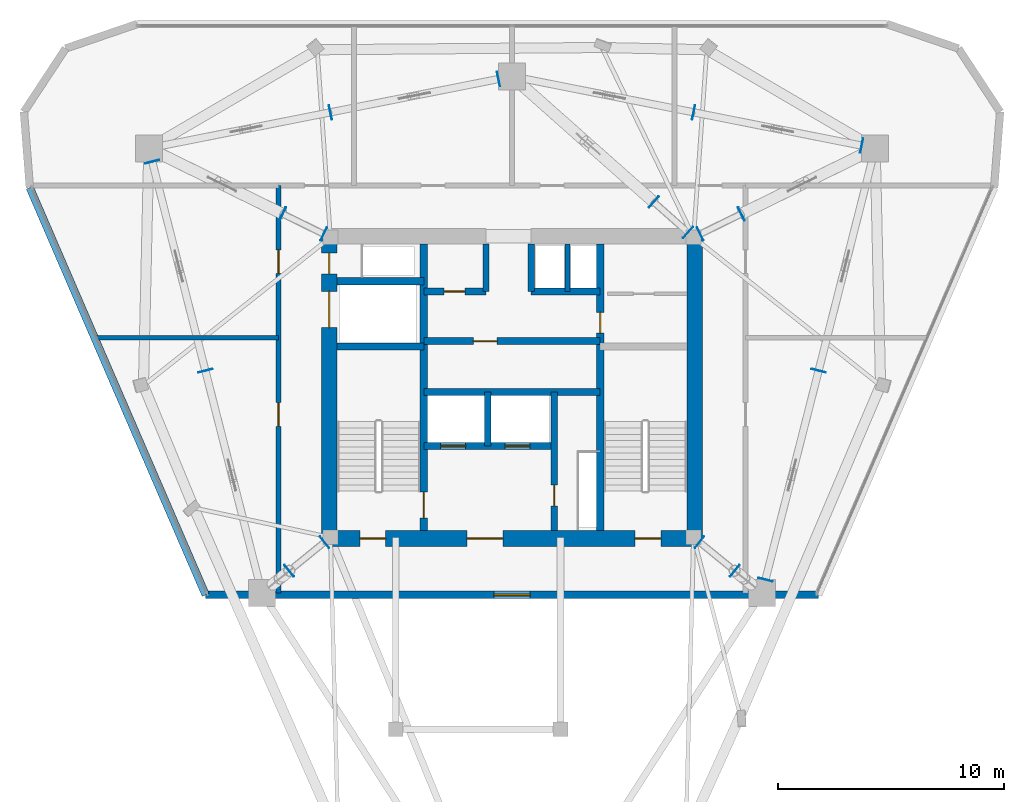
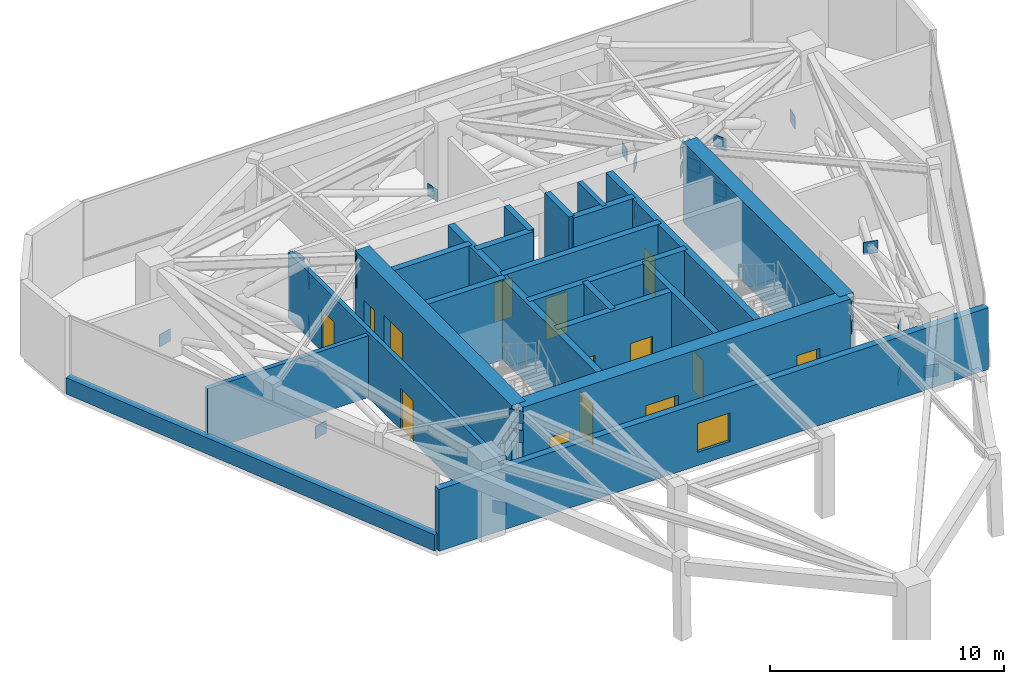
# One storey, part 7 of 9: 28 plates, 21 walls, 14 doors, 1 window, 15 openings.
"""IFC4 building model written with IfcOpenShell, lengths in metres."""

from ifc_helpers import new_model, si_unit, direction, frame, frame_2d, origin, origin_2d, place, context, subcontext, project, spatial, rectangle, extrude, material, layer, layer_set, type_object, element, fill, save


model = new_model("IFC4")

# Units and contexts
model_context = context("Model", 3, precision=1e-05, world=origin(), true_north=direction((0.0, 1.0)))
body_context = subcontext(model_context, "Body", "Model", "MODEL_VIEW")
ifc_project = project(units=[si_unit("LENGTHUNIT", "METRE"), si_unit("AREAUNIT", "SQUARE_METRE"), si_unit("VOLUMEUNIT", "CUBIC_METRE"), si_unit("PLANEANGLEUNIT", "RADIAN"), si_unit("MASSUNIT", "GRAM", prefix="KILO")], contexts=[model_context])

# Site, building, storey
site_placement = place(None, origin())
site = spatial("IfcSite", under=ifc_project, at=site_placement, CompositionType="ELEMENT")
building_placement = place(site_placement, origin())
building = spatial("IfcBuilding", under=site, at=building_placement, Name="Talyreon Biosciences Tower", CompositionType="ELEMENT")
storey_placement = place(building_placement, frame((0.0, 0.0, 279.60009765625)))
storey = spatial("IfcBuildingStorey", under=building, at=storey_placement, Name="L74", CompositionType="ELEMENT", Elevation=279.60009765625)

# Plates
ifc_material_1 = material(Name="Steel SM355", Category="steel")
ifc_layer_1 = layer(ifc_material_1, 0.028076171875)
ifc_layer_set_1 = layer_set([ifc_layer_1], Name="Steel SM355")
plate_type = type_object("IfcPlateType", Name="HollowEndCapPlate_28", PredefinedType="SHEET", material=ifc_layer_set_1)
for number, where, z_axis, x_axis, name in (
    (1, (74.309814453125, 61.138671875, 3.375), (0.0, 0.0, 1.0), (0.631000821652, 0.775782162127, 0.0), "Truss node plate NP-L74-OC-2"),
    (2, (74.309814453125, 61.138671875, 2.375), (0.0, 0.0, 1.0), (0.631000821652, 0.775782162127, 0.0), "Truss node plate NP-L74-OCM0-2"),
    (3, (75.884033203125, 59.8583984375, 2.375), (0.0, 0.0, 1.0), (0.631000821652, 0.775782162127, 0.0), "Truss node plate NP-L74-OCM1-2"),
    (4, (75.873046875, 59.8671875, -0.0849609375), (0.0, 0.0, 1.0), (0.630987281602, 0.775793175051, 0.0), "Truss node plate NP-OUT-L74-R2-E"),
    (5, (74.350830078125, 74.797607421875, 3.375), (0.0, 0.0, 1.0), (-0.440283955252, 0.89785858505, 0.0), "Truss node plate NP-L74-OC-3"),
    (6, (74.350830078125, 74.797607421875, 2.375), (0.0, 0.0, 1.0), (-0.440283955252, 0.89785858505, 0.0), "Truss node plate NP-L74-OCM0-3"),
    (7, (76.172607421875, 75.69091796875, 2.375), (0.0, 0.0, 1.0), (-0.440283955252, 0.89785858505, 0.0), "Truss node plate NP-L74-OCM1-3"),
    (8, (76.159912109375, 75.684814453125, -0.0849609375), (0.0, 0.0, 1.0), (-0.440283955252, 0.89785858505, 0.0), "Truss node plate NP-OUT-L74-R3-E"),
    (9, (73.79931640625, 74.872314453125, 3.375), (0.0, 0.0, 1.0), (-0.663495401773, -0.748180360492, 0.0), "Truss node plate NP-L74-OC-4"),
    (10, (73.79931640625, 74.872314453125, 2.375), (0.0, 0.0, 1.0), (-0.663495401773, -0.748180360492, 0.0), "Truss node plate NP-L74-OCM0-4"),
    (11, (72.28125, 76.218505859375, 2.375), (0.0, 0.0, 1.0), (-0.663495401773, -0.748180360492, 0.0), "Truss node plate NP-L74-OCM1-4"),
    (12, (72.291748046875, 76.209228515625, -0.0849609375), (0.0, 0.0, 1.0), (-0.663508459883, -0.748168780198, 0.0), "Truss node plate NP-OUT-L74-R4-E"),
    (13, (57.649169921875, 74.797607421875, 3.375), (0.0, 0.0, 1.0), (-0.440283955252, -0.89785858505, 0.0), "Truss node plate NP-L74-OC-5"),
    (14, (57.649169921875, 74.797607421875, 2.375), (0.0, 0.0, 1.0), (-0.440283955252, -0.89785858505, 0.0), "Truss node plate NP-L74-OCM0-5"),
    (15, (55.827392578125, 75.69091796875, 2.375), (0.0, 0.0, 1.0), (-0.440283955252, -0.89785858505, 0.0), "Truss node plate NP-L74-OCM1-5"),
    (16, (55.840087890625, 75.684814453125, -0.0849609375), (0.0, 0.0, 1.0), (-0.440283955252, -0.89785858505, 0.0), "Truss node plate NP-OUT-L74-R5-E"),
    (17, (57.690185546875, 61.138671875, 3.375), (0.0, 0.0, 1.0), (0.631000821652, -0.775782162127, 0.0), "Truss node plate NP-L74-OC-6"),
    (18, (57.690185546875, 61.138671875, 2.375), (0.0, 0.0, 1.0), (0.631000821652, -0.775782162127, 0.0), "Truss node plate NP-L74-OCM0-6"),
    (19, (56.115966796875, 59.8583984375, 2.375), (0.0, 0.0, 1.0), (0.631000821652, -0.775782162127, 0.0), "Truss node plate NP-L74-OCM1-6"),
    (20, (56.126953125, 59.8671875, -0.0849609375), (0.0, 0.0, 1.0), (0.630987281602, -0.775793175051, 0.0), "Truss node plate NP-OUT-L74-R6-E"),
    (21, (77.236572265625, 59.4716796875, -0.0849609375), (0.0, 0.0, 1.0), (-0.969132019352, 0.246542347409, 0.0), "Truss node plate NP-BELT-L74-B2S1-E"),
    (22, (79.59423828125, 68.739501953125, -0.0849609375), (0.0, 0.0, 1.0), (-0.969132019352, 0.246542347409, 0.0), "Truss node plate NP-BELT-L74-B2S2-E"),
    (23, (81.50390625, 78.71728515625, -0.0849609375), (0.0, 0.0, 1.0), (-0.194354196051, -0.980931417826, 0.0), "Truss node plate NP-BELT-L74-B3S1-E"),
    (24, (74.05126953125, 80.19384765625, -0.0849609375), (0.0, 0.0, 1.0), (-0.194354196051, -0.980931417826, 0.0), "Truss node plate NP-BELT-L74-B3S2-E"),
    (25, (65.401611328125, 81.67041015625, -0.0849609375), (0.0, 0.0, 1.0), (0.194354196051, -0.980931417826, 0.0), "Truss node plate NP-BELT-L74-B4S1-E"),
    (26, (57.94873046875, 80.19384765625, -0.0849609375), (0.0, 0.0, 1.0), (0.194354196051, -0.980931417826, 0.0), "Truss node plate NP-BELT-L74-B4S2-E"),
    (27, (50.048095703125, 78.007568359375, -0.0849609375), (0.0, 0.0, 1.0), (0.969132019352, 0.246542347409, 0.0), "Truss node plate NP-BELT-L74-B5S1-E"),
    (28, (52.40576171875, 68.739501953125, -0.0849609375), (0.0, 0.0, 1.0), (0.969132019352, 0.246542347409, 0.0), "Truss node plate NP-BELT-L74-B5S2-E"),
):
    element("IfcPlate", number, at=place(storey_placement, frame(where, z_axis=z_axis, x_axis=x_axis)), inside=storey, type_object=plate_type, Name=name, PredefinedType="SHEET", context=body_context, shape_type="SweptSolid", body=[
        extrude(rectangle(XDim=0.64990234375, YDim=0.028076171875, at=origin_2d()), origin(), (0.0, 0.0, 1.0), 0.64990234375),
    ])

# Walls
ifc_material_2 = material(Name="Concrete C50/60", Category="concrete")
ifc_layer_2 = layer(ifc_material_2, 0.219970703125)
ifc_layer_set_2 = layer_set([ifc_layer_2], Name="Concrete C50/60")
wall_type_1 = type_object("IfcWallType", Name="CoreShearWall_220", PredefinedType="SHEAR", material=ifc_layer_set_2)
wall_1_placement = place(storey_placement, frame((68.4599609375, 72.25, 0.0), z_axis=(0.0, 0.0, 1.0), x_axis=(0.0, 1.0, 0.0)))
element("IfcWall", 29, at=wall_1_placement, inside=storey, type_object=wall_type_1, Name="L74 Core Shaft Wall SWPHD", PredefinedType="SHEAR", context=body_context, shape_type="SweptSolid", body=[
    extrude(rectangle(XDim=2.10009765625, YDim=0.219970703125, at=frame_2d((1.050048828125, 0.0))), origin(), (0.0, 0.0, 1.0), 4.199951171875),
])
ifc_layer_3 = layer(ifc_material_2, 0.280029296875)
ifc_layer_set_3 = layer_set([ifc_layer_3], Name="Concrete C50/60")
wall_type_2 = type_object("IfcWallType", Name="CoreShearWall_280", PredefinedType="SHEAR", material=ifc_layer_set_3)
wall_2_placement = place(storey_placement, frame((64.919921875, 65.39990234375, 0.0), z_axis=(0.0, 0.0, 1.0), x_axis=(0.0, 1.0, 0.0)))
element("IfcWall", 30, at=wall_2_placement, inside=storey, type_object=wall_type_2, Name="L74 Core Shaft Wall SWSHD1", PredefinedType="SHEAR", context=body_context, shape_type="SweptSolid", body=[
    extrude(rectangle(XDim=2.400146484375, YDim=0.280029296875, at=frame_2d((1.2001953125, 0.0))), origin(), (0.0, 0.0, 1.0), 4.199951171875),
])
for number, where, z_axis, x_axis, name in (
    (31, (64.85009765625, 72.25, 0.0), (0.0, 0.0, 1.0), (0.0, 1.0, 0.0), "L74 Core Shaft Wall SWTHW"),
    (32, (66.85009765625, 72.25, 0.0), (0.0, 0.0, 1.0), (0.0, 1.0, 0.0), "L74 Core Shaft Wall SWTHE"),
):
    element("IfcWall", number, at=place(storey_placement, frame(where, z_axis=z_axis, x_axis=x_axis)), inside=storey, type_object=wall_type_2, Name=name, PredefinedType="SHEAR", context=body_context, shape_type="SweptSolid", body=[
        extrude(rectangle(XDim=2.10009765625, YDim=0.280029296875, at=frame_2d((1.050048828125, 0.0))), origin(), (0.0, 0.0, 1.0), 4.199951171875),
    ])

# Wall, opening, door
wall_3_placement = place(storey_placement, frame((67.8798828125, 61.64990234375, 0.0), z_axis=(0.0, 0.0, 1.0), x_axis=(0.0, 1.0, 0.0)))
wall_3 = element("IfcWall", 33, at=wall_3_placement, inside=storey, type_object=wall_type_2, Name="L74 Core Shaft Wall SWFFE", PredefinedType="SHEAR", context=body_context, shape_type="SweptSolid", body=[
    extrude(rectangle(XDim=6.150146484375, YDim=0.280029296875, at=frame_2d((3.0751953125, 0.0))), origin(), (0.0, 0.0, 1.0), 4.199951171875),
])
opening_1_placement = place(wall_3_placement, frame((1.10009765625, 0.0, 0.0)))
opening_1 = element("IfcOpeningElement", 34, at=opening_1_placement, cuts=wall_3, Name="Opening DR-L74-RSE", PredefinedType="OPENING", context=body_context, shape_type="SweptSolid", body=[
    extrude(rectangle(XDim=0.919921875, YDim=2.050048828125, at=frame_2d((0.4599609375, 1.02490234375))), frame((0.0, 0.14990234375, 0.0), z_axis=(0.0, -1.0, 0.0), x_axis=(1.0, 0.0, 0.0)), (0.0, 0.0, 1.0), 0.300048828125),
])
ifc_material_3 = material(Name="Painted steel fire-rated riser door", Category="steel")
door_type_1 = type_object("IfcDoorType", Name="RiserPlantAccessDoor_920x2050", OperationType="NOTDEFINED", PredefinedType="DOOR", material=ifc_material_3)
door_1_placement = place(opening_1_placement, origin())
door_1 = element("IfcDoor", 35, at=door_1_placement, inside=storey, type_object=door_type_1, Name="L74 Core Door DR-L74-RSE", OperationType="SINGLE_SWING_RIGHT", OverallHeight=2.050048828125, OverallWidth=0.919921875, PredefinedType="DOOR", context=body_context, shape_type="SweptSolid", body=[
    extrude(rectangle(XDim=0.919921875, YDim=2.050048828125, at=frame_2d((0.4599609375, 1.02490234375))), frame((0.0, 0.02490234375, 0.0), z_axis=(0.0, -1.0, 0.0), x_axis=(1.0, 0.0, 0.0)), (0.0, 0.0, 1.0), 0.050048828125),
])
fill(opening_1, door_1)

ifc_layer_4 = layer(ifc_material_2, 0.320068359375)
ifc_layer_set_4 = layer_set([ifc_layer_4], Name="Concrete C50/60")
wall_type_3 = type_object("IfcWallType", Name="CoreShearWall_320", PredefinedType="SHEAR", material=ifc_layer_set_4)
wall_4_placement = place(storey_placement, frame((62.090087890625, 61.64990234375, 0.0), z_axis=(0.0, 0.0, 1.0), x_axis=(0.0, 1.0, 0.0)))
wall_4 = element("IfcWall", 36, at=wall_4_placement, inside=storey, type_object=wall_type_3, Name="L74 Core Shaft Wall SW1E", PredefinedType="SHEAR", context=body_context, shape_type="SweptSolid", body=[
    extrude(rectangle(XDim=12.7001953125, YDim=0.320068359375, at=frame_2d((6.35009765625, 0.0))), origin(), (0.0, 0.0, 1.0), 4.199951171875),
])
opening_2_placement = place(wall_4_placement, frame((0.550048828125, 0.0, 0.0)))
opening_2 = element("IfcOpeningElement", 37, at=opening_2_placement, cuts=wall_4, Name="Opening DR-L74-FF-ST1", PredefinedType="OPENING", context=body_context, shape_type="SweptSolid", body=[
    extrude(rectangle(XDim=1.14990234375, YDim=2.14990234375, at=frame_2d((0.574951171875, 1.074951171875))), frame((0.0, 0.169921875, 0.0), z_axis=(0.0, -1.0, 0.0), x_axis=(1.0, 0.0, 0.0)), (0.0, 0.0, 1.0), 0.340087890625),
])
ifc_material_4 = material(Name="Painted steel fire door", Category="steel")
door_type_2 = type_object("IfcDoorType", Name="StairShaftFireDoor_1150x2150", OperationType="NOTDEFINED", PredefinedType="DOOR", material=ifc_material_4)
door_2_placement = place(opening_2_placement, origin())
door_2 = element("IfcDoor", 38, at=door_2_placement, inside=storey, type_object=door_type_2, Name="L74 Core Door DR-L74-FF-ST1", OperationType="SINGLE_SWING_LEFT", OverallHeight=2.14990234375, OverallWidth=1.14990234375, PredefinedType="DOOR", context=body_context, shape_type="SweptSolid", body=[
    extrude(rectangle(XDim=1.14990234375, YDim=2.14990234375, at=frame_2d((0.574951171875, 1.074951171875))), frame((0.0, 0.02490234375, 0.0), z_axis=(0.0, -1.0, 0.0), x_axis=(1.0, 0.0, 0.0)), (0.0, 0.0, 1.0), 0.050048828125),
])
fill(opening_2, door_2)

wall_5_placement = place(storey_placement, frame((69.909912109375, 61.64990234375, 0.0), z_axis=(0.0, 0.0, 1.0), x_axis=(0.0, 1.0, 0.0)))
wall_5 = element("IfcWall", 39, at=wall_5_placement, inside=storey, type_object=wall_type_3, Name="L74 Core Shaft Wall SW2W", PredefinedType="SHEAR", context=body_context, shape_type="SweptSolid", body=[
    extrude(rectangle(XDim=12.7001953125, YDim=0.320068359375, at=frame_2d((6.35009765625, 0.0))), origin(), (0.0, 0.0, 1.0), 4.199951171875),
])
opening_3_placement = place(wall_5_placement, frame((8.75, 0.0, 0.0)))
opening_3 = element("IfcOpeningElement", 40, at=opening_3_placement, cuts=wall_5, Name="Opening DR-L74-CSRV", PredefinedType="OPENING", context=body_context, shape_type="SweptSolid", body=[
    extrude(rectangle(XDim=0.919921875, YDim=2.050048828125, at=frame_2d((0.4599609375, 1.02490234375))), frame((0.0, 0.169921875, 0.0), z_axis=(0.0, -1.0, 0.0), x_axis=(1.0, 0.0, 0.0)), (0.0, 0.0, 1.0), 0.340087890625),
])
door_3_placement = place(opening_3_placement, origin())
door_3 = element("IfcDoor", 41, at=door_3_placement, inside=storey, type_object=door_type_1, Name="L74 Core Door DR-L74-CSRV", OperationType="SINGLE_SWING_RIGHT", OverallHeight=2.050048828125, OverallWidth=0.919921875, PredefinedType="DOOR", context=body_context, shape_type="SweptSolid", body=[
    extrude(rectangle(XDim=0.919921875, YDim=2.050048828125, at=frame_2d((0.4599609375, 1.02490234375))), frame((0.0, 0.02490234375, 0.0), z_axis=(0.0, -1.0, 0.0), x_axis=(1.0, 0.0, 0.0)), (0.0, 0.0, 1.0), 0.050048828125),
])
fill(opening_3, door_3)

# Walls
for number, where, z_axis, x_axis, name in (
    (42, (58.25, 69.81005859375, 0.0), (0.0, 0.0, 1.0), (1.0, 0.0, 0.0), "L74 Core Shaft Wall SW1N"),
    (43, (58.25, 72.699951171875, 0.0), (0.0, 0.0, 1.0), (1.0, 0.0, 0.0), "L74 Core Shaft Wall SWGLN"),
):
    element("IfcWall", number, at=place(storey_placement, frame(where, z_axis=z_axis, x_axis=x_axis)), inside=storey, type_object=wall_type_3, Name=name, PredefinedType="SHEAR", context=body_context, shape_type="SweptSolid", body=[
        extrude(rectangle(XDim=3.840087890625, YDim=0.320068359375, at=frame_2d((1.919921875, 0.0))), origin(), (0.0, 0.0, 1.0), 4.199951171875),
    ])
wall_6_placement = place(storey_placement, frame((62.090087890625, 67.800048828125, 0.0), z_axis=(0.0, 0.0, 1.0), x_axis=(1.0, 0.0, 0.0)))
element("IfcWall", 44, at=wall_6_placement, inside=storey, type_object=wall_type_3, Name="L74 Core Shaft Wall SWSHM", PredefinedType="SHEAR", context=body_context, shape_type="SweptSolid", body=[
    extrude(rectangle(XDim=7.81982421875, YDim=0.320068359375, at=frame_2d((3.909912109375, 0.0))), origin(), (0.0, 0.0, 1.0), 4.199951171875),
])

# Wall, opening, door
wall_7_placement = place(storey_placement, frame((62.090087890625, 70.050048828125, 0.0), z_axis=(0.0, 0.0, 1.0), x_axis=(1.0, 0.0, 0.0)))
wall_7 = element("IfcWall", 45, at=wall_7_placement, inside=storey, type_object=wall_type_3, Name="L74 Core Shaft Wall SWSPN", PredefinedType="SHEAR", context=body_context, shape_type="SweptSolid", body=[
    extrude(rectangle(XDim=7.81982421875, YDim=0.320068359375, at=frame_2d((3.909912109375, 0.0))), origin(), (0.0, 0.0, 1.0), 4.199951171875),
])
opening_4_placement = place(wall_7_placement, frame((2.199951171875, 0.0, 0.0)))
opening_4 = element("IfcOpeningElement", 46, at=opening_4_placement, cuts=wall_7, Name="Opening DR-L74-PLPMFREE", PredefinedType="OPENING", context=body_context, shape_type="SweptSolid", body=[
    extrude(rectangle(XDim=1.050048828125, YDim=2.14990234375, at=frame_2d((0.52490234375, 1.074951171875))), frame((0.0, 0.169921875, 0.0), z_axis=(0.0, -1.0, 0.0), x_axis=(1.0, 0.0, 0.0)), (0.0, 0.0, 1.0), 0.340087890625),
])
ifc_material_5 = material(Name="Acoustic timber-core laboratory door", Category="wood")
door_type_3 = type_object("IfcDoorType", Name="DryLabSingleDoor_1050x2150", OperationType="NOTDEFINED", PredefinedType="DOOR", material=ifc_material_5)
door_4_placement = place(opening_4_placement, origin())
door_4 = element("IfcDoor", 47, at=door_4_placement, inside=storey, type_object=door_type_3, Name="L74 Core Door DR-L74-PLPMFREE", OperationType="SINGLE_SWING_LEFT", OverallHeight=2.14990234375, OverallWidth=1.050048828125, PredefinedType="DOOR", context=body_context, shape_type="SweptSolid", body=[
    extrude(rectangle(XDim=1.050048828125, YDim=2.14990234375, at=frame_2d((0.52490234375, 1.074951171875))), frame((0.0, 0.02490234375, 0.0), z_axis=(0.0, -1.0, 0.0), x_axis=(1.0, 0.0, 0.0)), (0.0, 0.0, 1.0), 0.050048828125),
])
fill(opening_4, door_4)

wall_8_placement = place(storey_placement, frame((62.090087890625, 72.25, 0.0), z_axis=(0.0, 0.0, 1.0), x_axis=(1.0, 0.0, 0.0)))
wall_8 = element("IfcWall", 48, at=wall_8_placement, inside=storey, type_object=wall_type_3, Name="L74 Core Shaft Wall SWNPW", PredefinedType="SHEAR", context=body_context, shape_type="SweptSolid", body=[
    extrude(rectangle(XDim=2.760009765625, YDim=0.320068359375, at=frame_2d((1.3798828125, 0.0))), origin(), (0.0, 0.0, 1.0), 4.199951171875),
])
opening_5_placement = place(wall_8_placement, frame((0.89990234375, 0.0, 0.0)))
opening_5 = element("IfcOpeningElement", 49, at=opening_5_placement, cuts=wall_8, Name="Opening DR-L74-PM2FREE", PredefinedType="OPENING", context=body_context, shape_type="SweptSolid", body=[
    extrude(rectangle(XDim=0.919921875, YDim=2.050048828125, at=frame_2d((0.4599609375, 1.02490234375))), frame((0.0, 0.169921875, 0.0), z_axis=(0.0, -1.0, 0.0), x_axis=(1.0, 0.0, 0.0)), (0.0, 0.0, 1.0), 0.340087890625),
])
door_5_placement = place(opening_5_placement, origin())
door_5 = element("IfcDoor", 50, at=door_5_placement, inside=storey, type_object=door_type_1, Name="L74 Core Door DR-L74-PM2FREE", OperationType="SINGLE_SWING_RIGHT", OverallHeight=2.050048828125, OverallWidth=0.919921875, PredefinedType="DOOR", context=body_context, shape_type="SweptSolid", body=[
    extrude(rectangle(XDim=0.919921875, YDim=2.050048828125, at=frame_2d((0.4599609375, 1.02490234375))), frame((0.0, 0.02490234375, 0.0), z_axis=(0.0, -1.0, 0.0), x_axis=(1.0, 0.0, 0.0)), (0.0, 0.0, 1.0), 0.050048828125),
])
fill(opening_5, door_5)

# Wall
wall_9_placement = place(storey_placement, frame((66.85009765625, 72.25, 0.0), z_axis=(0.0, 0.0, 1.0), x_axis=(1.0, 0.0, 0.0)))
element("IfcWall", 51, at=wall_9_placement, inside=storey, type_object=wall_type_3, Name="L74 Core Shaft Wall SWNPE", PredefinedType="SHEAR", context=body_context, shape_type="SweptSolid", body=[
    extrude(rectangle(XDim=3.059814453125, YDim=0.320068359375, at=frame_2d((1.52978515625, 0.0))), origin(), (0.0, 0.0, 1.0), 4.199951171875),
])

# Wall, openings, doors
wall_10_placement = place(storey_placement, frame((62.090087890625, 65.39990234375, 0.0), z_axis=(0.0, 0.0, 1.0), x_axis=(1.0, 0.0, 0.0)))
wall_10 = element("IfcWall", 52, at=wall_10_placement, inside=storey, type_object=wall_type_3, Name="L74 Core Shaft Wall SWFFN", PredefinedType="SHEAR", context=body_context, shape_type="SweptSolid", body=[
    extrude(rectangle(XDim=5.789794921875, YDim=0.320068359375, at=frame_2d((2.89501953125, 0.0))), origin(), (0.0, 0.0, 1.0), 4.199951171875),
])
opening_6_placement = place(wall_10_placement, frame((0.75, 0.0, 0.0)))
opening_6 = element("IfcOpeningElement", 53, at=opening_6_placement, cuts=wall_10, Name="Opening LD-L74-FL1", PredefinedType="OPENING", context=body_context, shape_type="SweptSolid", body=[
    extrude(rectangle(XDim=1.10009765625, YDim=2.199951171875, at=frame_2d((0.550048828125, 1.10009765625))), frame((0.0, 0.169921875, 0.0), z_axis=(0.0, -1.0, 0.0), x_axis=(1.0, 0.0, 0.0)), (0.0, 0.0, 1.0), 0.340087890625),
])
opening_7_placement = place(wall_10_placement, frame((3.60009765625, 0.0, 0.0)))
opening_7 = element("IfcOpeningElement", 54, at=opening_7_placement, cuts=wall_10, Name="Opening LD-L74-FL2", PredefinedType="OPENING", context=body_context, shape_type="SweptSolid", body=[
    extrude(rectangle(XDim=1.10009765625, YDim=2.199951171875, at=frame_2d((0.550048828125, 1.10009765625))), frame((0.0, 0.169921875, 0.0), z_axis=(0.0, -1.0, 0.0), x_axis=(1.0, 0.0, 0.0)), (0.0, 0.0, 1.0), 0.340087890625),
])
ifc_material_6 = material(Name="Brushed stainless-steel lift landing door", Category="steel")
door_type_4 = type_object("IfcDoorType", Name="LiftSlidingLandingDoor_1100x2200", OperationType="SLIDING_TO_LEFT", PredefinedType="DOOR", material=ifc_material_6)
door_6_placement = place(opening_6_placement, origin())
door_6 = element("IfcDoor", 55, at=door_6_placement, inside=storey, type_object=door_type_4, Name="L74 Core Door LD-L74-FL1", OperationType="SLIDING_TO_LEFT", OverallHeight=2.199951171875, OverallWidth=1.10009765625, PredefinedType="DOOR", context=body_context, shape_type="SweptSolid", body=[
    extrude(rectangle(XDim=1.10009765625, YDim=2.199951171875, at=frame_2d((0.550048828125, 1.10009765625))), frame((0.0, 0.02490234375, 0.0), z_axis=(0.0, -1.0, 0.0), x_axis=(1.0, 0.0, 0.0)), (0.0, 0.0, 1.0), 0.050048828125),
])
fill(opening_6, door_6)
door_7_placement = place(opening_7_placement, origin())
door_7 = element("IfcDoor", 56, at=door_7_placement, inside=storey, type_object=door_type_4, Name="L74 Core Door LD-L74-FL2", OperationType="SLIDING_TO_LEFT", OverallHeight=2.199951171875, OverallWidth=1.10009765625, PredefinedType="DOOR", context=body_context, shape_type="SweptSolid", body=[
    extrude(rectangle(XDim=1.10009765625, YDim=2.199951171875, at=frame_2d((0.550048828125, 1.10009765625))), frame((0.0, 0.02490234375, 0.0), z_axis=(0.0, -1.0, 0.0), x_axis=(1.0, 0.0, 0.0)), (0.0, 0.0, 1.0), 0.050048828125),
])
fill(opening_7, door_7)

ifc_layer_5 = layer(ifc_material_2, 0.699951171875)
ifc_layer_set_5 = layer_set([ifc_layer_5], Name="Concrete C50/60")
wall_type_4 = type_object("IfcWallType", Name="CoreShearWall_700", PredefinedType="SHEAR", material=ifc_layer_set_5)
wall_11_placement = place(storey_placement, frame((57.89990234375, 61.300048828125, 0.0), z_axis=(0.0, 0.0, 1.0), x_axis=(1.0, 0.0, 0.0)))
wall_11 = element("IfcWall", 57, at=wall_11_placement, inside=storey, type_object=wall_type_4, Name="L74 Core Shear Wall S", PredefinedType="SHEAR", context=body_context, shape_type="SweptSolid", body=[
    extrude(rectangle(XDim=16.2001953125, YDim=0.699951171875, at=frame_2d((8.10009765625, 0.0))), origin(), (0.0, 0.0, 1.0), 4.199951171875),
])
opening_8_placement = place(wall_11_placement, frame((1.35009765625, 0.0, 0.0)))
opening_8 = element("IfcOpeningElement", 58, at=opening_8_placement, cuts=wall_11, Name="Opening DR-L74-ST1", PredefinedType="OPENING", context=body_context, shape_type="SweptSolid", body=[
    extrude(rectangle(XDim=1.14990234375, YDim=2.14990234375, at=frame_2d((0.574951171875, 1.074951171875))), frame((0.0, 0.35986328125, 0.0), z_axis=(0.0, -1.0, 0.0), x_axis=(1.0, 0.0, 0.0)), (0.0, 0.0, 1.0), 0.719970703125),
])
opening_9_placement = place(wall_11_placement, frame((6.10009765625, 0.0, 0.0)))
opening_9 = element("IfcOpeningElement", 59, at=opening_9_placement, cuts=wall_11, Name="Opening DR-L74-FFL", PredefinedType="OPENING", context=body_context, shape_type="SweptSolid", body=[
    extrude(rectangle(XDim=1.60009765625, YDim=2.14990234375, at=frame_2d((0.800048828125, 1.074951171875))), frame((0.0, 0.35986328125, 0.0), z_axis=(0.0, -1.0, 0.0), x_axis=(1.0, 0.0, 0.0)), (0.0, 0.0, 1.0), 0.719970703125),
])
opening_10_placement = place(wall_11_placement, frame((13.550048828125, 0.0, 0.0)))
opening_10 = element("IfcOpeningElement", 60, at=opening_10_placement, cuts=wall_11, Name="Opening DR-L74-ST2", PredefinedType="OPENING", context=body_context, shape_type="SweptSolid", body=[
    extrude(rectangle(XDim=1.14990234375, YDim=2.14990234375, at=frame_2d((0.574951171875, 1.074951171875))), frame((0.0, 0.35986328125, 0.0), z_axis=(0.0, -1.0, 0.0), x_axis=(1.0, 0.0, 0.0)), (0.0, 0.0, 1.0), 0.719970703125),
])
ifc_material_7 = material(Name="Painted steel smoke-seal fire door", Category="steel")
door_type_5 = type_object("IfcDoorType", Name="FirefightingLobbyDoubleDoor_1600x2150", OperationType="DOUBLE_DOOR_SINGLE_SWING", PredefinedType="DOOR", material=ifc_material_7)
door_8_placement = place(opening_9_placement, origin())
door_8 = element("IfcDoor", 61, at=door_8_placement, inside=storey, type_object=door_type_5, Name="L74 Core Door DR-L74-FFL", OperationType="DOUBLE_DOOR_SINGLE_SWING", OverallHeight=2.14990234375, OverallWidth=1.60009765625, PredefinedType="DOOR", context=body_context, shape_type="SweptSolid", body=[
    extrude(rectangle(XDim=1.60009765625, YDim=2.14990234375, at=frame_2d((0.800048828125, 1.074951171875))), frame((0.0, 0.02490234375, 0.0), z_axis=(0.0, -1.0, 0.0), x_axis=(1.0, 0.0, 0.0)), (0.0, 0.0, 1.0), 0.050048828125),
])
fill(opening_9, door_8)
door_9_placement = place(opening_8_placement, origin())
door_9 = element("IfcDoor", 62, at=door_9_placement, inside=storey, type_object=door_type_2, Name="L74 Core Door DR-L74-ST1", OperationType="SINGLE_SWING_LEFT", OverallHeight=2.14990234375, OverallWidth=1.14990234375, PredefinedType="DOOR", context=body_context, shape_type="SweptSolid", body=[
    extrude(rectangle(XDim=1.14990234375, YDim=2.14990234375, at=frame_2d((0.574951171875, 1.074951171875))), frame((0.0, 0.02490234375, 0.0), z_axis=(0.0, -1.0, 0.0), x_axis=(1.0, 0.0, 0.0)), (0.0, 0.0, 1.0), 0.050048828125),
])
fill(opening_8, door_9)
door_10_placement = place(opening_10_placement, origin())
door_10 = element("IfcDoor", 63, at=door_10_placement, inside=storey, type_object=door_type_2, Name="L74 Core Door DR-L74-ST2", OperationType="SINGLE_SWING_RIGHT", OverallHeight=2.14990234375, OverallWidth=1.14990234375, PredefinedType="DOOR", context=body_context, shape_type="SweptSolid", body=[
    extrude(rectangle(XDim=1.14990234375, YDim=2.14990234375, at=frame_2d((0.574951171875, 1.074951171875))), frame((0.0, 0.02490234375, 0.0), z_axis=(0.0, -1.0, 0.0), x_axis=(1.0, 0.0, 0.0)), (0.0, 0.0, 1.0), 0.050048828125),
])
fill(opening_10, door_10)

# Wall
wall_12_placement = place(storey_placement, frame((74.10009765625, 61.300048828125, 0.0), z_axis=(0.0, 0.0, 1.0), x_axis=(0.0, 1.0, 0.0)))
element("IfcWall", 64, at=wall_12_placement, inside=storey, type_object=wall_type_4, Name="L74 Core Shear Wall E", PredefinedType="SHEAR", context=body_context, shape_type="SweptSolid", body=[
    extrude(rectangle(XDim=13.39990234375, YDim=0.699951171875, at=frame_2d((6.699951171875, 0.0))), origin(), (0.0, 0.0, 1.0), 4.199951171875),
])

# Wall, openings, doors
wall_13_placement = place(storey_placement, frame((57.89990234375, 74.699951171875, 0.0), z_axis=(0.0, 0.0, 1.0), x_axis=(0.0, -1.0, 0.0)))
wall_13 = element("IfcWall", 65, at=wall_13_placement, inside=storey, type_object=wall_type_4, Name="L74 Core Shear Wall W", PredefinedType="SHEAR", context=body_context, shape_type="SweptSolid", body=[
    extrude(rectangle(XDim=13.39990234375, YDim=0.699951171875, at=frame_2d((6.699951171875, 0.0))), origin(), (0.0, 0.0, 1.0), 4.199951171875),
])
opening_11_placement = place(wall_13_placement, frame((0.75, 0.0, 0.0)))
opening_11 = element("IfcOpeningElement", 66, at=opening_11_placement, cuts=wall_13, Name="Opening DR-L74-RSW", PredefinedType="OPENING", context=body_context, shape_type="SweptSolid", body=[
    extrude(rectangle(XDim=0.919921875, YDim=2.050048828125, at=frame_2d((0.4599609375, 1.02490234375))), frame((0.0, 0.35986328125, 0.0), z_axis=(0.0, -1.0, 0.0), x_axis=(1.0, 0.0, 0.0)), (0.0, 0.0, 1.0), 0.719970703125),
])
opening_12_placement = place(wall_13_placement, frame((2.449951171875, 0.0, 0.0)))
opening_12 = element("IfcOpeningElement", 67, at=opening_12_placement, cuts=wall_13, Name="Opening LD-L74-GL1", PredefinedType="OPENING", context=body_context, shape_type="SweptSolid", body=[
    extrude(rectangle(XDim=1.60009765625, YDim=2.300048828125, at=frame_2d((0.800048828125, 1.14990234375))), frame((0.0, 0.35986328125, 0.0), z_axis=(0.0, -1.0, 0.0), x_axis=(1.0, 0.0, 0.0)), (0.0, 0.0, 1.0), 0.719970703125),
])
ifc_material_8 = material(Name="Heavy-duty stainless-steel goods lift door", Category="steel")
door_type_6 = type_object("IfcDoorType", Name="GoodsLiftSlidingDoor_1600x2300", OperationType="DOUBLE_DOOR_SLIDING", PredefinedType="DOOR", material=ifc_material_8)
door_11_placement = place(opening_12_placement, origin())
door_11 = element("IfcDoor", 68, at=door_11_placement, inside=storey, type_object=door_type_6, Name="L74 Core Door LD-L74-GL1", OperationType="DOUBLE_DOOR_SLIDING", OverallHeight=2.300048828125, OverallWidth=1.60009765625, PredefinedType="DOOR", context=body_context, shape_type="SweptSolid", body=[
    extrude(rectangle(XDim=1.60009765625, YDim=2.300048828125, at=frame_2d((0.800048828125, 1.14990234375))), frame((0.0, 0.02490234375, 0.0), z_axis=(0.0, -1.0, 0.0), x_axis=(1.0, 0.0, 0.0)), (0.0, 0.0, 1.0), 0.050048828125),
])
fill(opening_12, door_11)
door_12_placement = place(opening_11_placement, origin())
door_12 = element("IfcDoor", 69, at=door_12_placement, inside=storey, type_object=door_type_1, Name="L74 Core Door DR-L74-RSW", OperationType="SINGLE_SWING_LEFT", OverallHeight=2.050048828125, OverallWidth=0.919921875, PredefinedType="DOOR", context=body_context, shape_type="SweptSolid", body=[
    extrude(rectangle(XDim=0.919921875, YDim=2.050048828125, at=frame_2d((0.4599609375, 1.02490234375))), frame((0.0, 0.02490234375, 0.0), z_axis=(0.0, -1.0, 0.0), x_axis=(1.0, 0.0, 0.0)), (0.0, 0.0, 1.0), 0.050048828125),
])
fill(opening_11, door_12)

# Wall
ifc_material_9 = material(Name="Gypsum fireboard acoustic stud", Category="gypsum")
ifc_layer_6 = layer(ifc_material_9, 0.219970703125)
ifc_layer_set_6 = layer_set([ifc_layer_6], Name="Gypsum fireboard acoustic stud")
wall_type_5 = type_object("IfcWallType", Name="CorridorRatedPartition_220", PredefinedType="PARTITIONING", material=ifc_layer_set_6)
wall_14_placement = place(storey_placement, frame((47.5859375, 70.199951171875, 0.0), z_axis=(0.0, 0.0, 1.0), x_axis=(1.0, 0.0, 0.0)))
element("IfcWall", 70, at=wall_14_placement, inside=storey, type_object=wall_type_5, Name="L74 Interior Wall IW-L74-WD1", PredefinedType="PARTITIONING", context=body_context, shape_type="SweptSolid", body=[
    extrude(rectangle(XDim=8.06396484375, YDim=0.219970703125, at=frame_2d((4.031982421875, 0.0))), origin(), (0.0, 0.0, 1.0), 3.22998046875),
])

# Wall, openings, doors
wall_15_placement = place(storey_placement, frame((55.64990234375, 58.885009765625, 0.0), z_axis=(0.0, 0.0, 1.0), x_axis=(0.0, 1.0, 0.0)))
wall_15 = element("IfcWall", 71, at=wall_15_placement, inside=storey, type_object=wall_type_5, Name="L74 Interior Wall IW-L74-PC-W", PredefinedType="PARTITIONING", context=body_context, shape_type="SweptSolid", body=[
    extrude(rectangle(XDim=18.06494140625, YDim=0.219970703125, at=frame_2d((9.032470703125, 0.0))), origin(), (0.0, 0.0, 1.0), 3.429931640625),
])
opening_13_placement = place(wall_15_placement, frame((7.388916015625, 0.0, 0.0)))
opening_13 = element("IfcOpeningElement", 72, at=opening_13_placement, cuts=wall_15, Name="Opening DR-L74-PL-WB", PredefinedType="OPENING", context=body_context, shape_type="SweptSolid", body=[
    extrude(rectangle(XDim=1.050048828125, YDim=2.14990234375, at=frame_2d((0.52490234375, 1.074951171875))), frame((0.0, 0.119873046875, 0.0), z_axis=(0.0, -1.0, 0.0), x_axis=(1.0, 0.0, 0.0)), (0.0, 0.0, 1.0), 0.239990234375),
])
opening_14_placement = place(wall_15_placement, frame((14.1650390625, 0.0, 0.0)))
opening_14 = element("IfcOpeningElement", 73, at=opening_14_placement, cuts=wall_15, Name="Opening DR-L74-PL-WA", PredefinedType="OPENING", context=body_context, shape_type="SweptSolid", body=[
    extrude(rectangle(XDim=1.050048828125, YDim=2.14990234375, at=frame_2d((0.52490234375, 1.074951171875))), frame((0.0, 0.119873046875, 0.0), z_axis=(0.0, -1.0, 0.0), x_axis=(1.0, 0.0, 0.0)), (0.0, 0.0, 1.0), 0.239990234375),
])
door_13_placement = place(opening_13_placement, origin())
door_13 = element("IfcDoor", 74, at=door_13_placement, inside=storey, type_object=door_type_3, Name="L74 Interior Door DR-L74-PL-WB", OperationType="SINGLE_SWING_RIGHT", OverallHeight=2.14990234375, OverallWidth=1.050048828125, PredefinedType="DOOR", context=body_context, shape_type="SweptSolid", body=[
    extrude(rectangle(XDim=1.050048828125, YDim=2.14990234375, at=frame_2d((0.52490234375, 1.074951171875))), frame((0.0, 0.02490234375, 0.0), z_axis=(0.0, -1.0, 0.0), x_axis=(1.0, 0.0, 0.0)), (0.0, 0.0, 1.0), 0.050048828125),
])
fill(opening_13, door_13)
door_14_placement = place(opening_14_placement, origin())
door_14 = element("IfcDoor", 75, at=door_14_placement, inside=storey, type_object=door_type_3, Name="L74 Interior Door DR-L74-PL-WA", OperationType="SINGLE_SWING_RIGHT", OverallHeight=2.14990234375, OverallWidth=1.050048828125, PredefinedType="DOOR", context=body_context, shape_type="SweptSolid", body=[
    extrude(rectangle(XDim=1.050048828125, YDim=2.14990234375, at=frame_2d((0.52490234375, 1.074951171875))), frame((0.0, 0.02490234375, 0.0), z_axis=(0.0, -1.0, 0.0), x_axis=(1.0, 0.0, 0.0)), (0.0, 0.0, 1.0), 0.050048828125),
])
fill(opening_14, door_14)

# Wall, opening, window
ifc_material_10 = material(Name="Precast concrete C45/55", Category="concrete")
ifc_layer_7 = layer(ifc_material_10, 0.340087890625)
ifc_layer_set_7 = layer_set([ifc_layer_7], Name="Precast concrete C45/55")
wall_type_6 = type_object("IfcWallType", Name="PrecastConcreteSpandrelWall_340", PredefinedType="STANDARD", material=ifc_layer_set_7)
wall_16_placement = place(storey_placement, frame((79.58251953125, 58.800048828125, 0.0), z_axis=(0.0, 0.0, 1.0), x_axis=(-1.0, 0.0, 0.0)))
wall_16 = element("IfcWall", 76, at=wall_16_placement, inside=storey, type_object=wall_type_6, Name="L74 Terrace Backing Concrete Wall 08", PredefinedType="STANDARD", context=body_context, shape_type="SweptSolid", body=[
    extrude(rectangle(XDim=27.1650390625, YDim=0.340087890625, at=frame_2d((13.58251953125, 0.0))), origin(), (0.0, 0.0, 1.0), 3.22998046875),
])
opening_15_placement = place(wall_16_placement, frame((12.782958984375, 0.0, 0.699951171875)))
opening_15 = element("IfcOpeningElement", 77, at=opening_15_placement, cuts=wall_16, Name="Opening W06", PredefinedType="OPENING", context=body_context, shape_type="SweptSolid", body=[
    extrude(rectangle(XDim=1.60009765625, YDim=1.5, at=frame_2d((0.800048828125, 0.75))), frame((0.0, 0.179931640625, 0.0), z_axis=(0.0, -1.0, 0.0), x_axis=(1.0, 0.0, 0.0)), (0.0, 0.0, 1.0), 0.360107421875),
])
ifc_material_11 = material(Name="Thermally broken triple low-E aluminium window", Category="aluminium")
window_type = type_object("IfcWindowType", Name="CrownLouvredWindow_1600x1500", PartitioningType="SINGLE_PANEL", PredefinedType="WINDOW", material=ifc_material_11)
window_placement = place(opening_15_placement, origin())
window = element("IfcWindow", 78, at=window_placement, inside=storey, type_object=window_type, Name="L74 Sky-Garden Loggia Window 08", OverallHeight=1.5, OverallWidth=1.60009765625, PartitioningType="SINGLE_PANEL", PredefinedType="WINDOW", context=body_context, shape_type="SweptSolid", body=[
    extrude(rectangle(XDim=1.60009765625, YDim=1.5, at=frame_2d((0.800048828125, 0.75))), frame((0.0, 0.030029296875, 0.0), z_axis=(0.0, -1.0, 0.0), x_axis=(1.0, 0.0, 0.0)), (0.0, 0.0, 1.0), 0.06005859375),
])
fill(opening_15, window)

# Wall
wall_17_placement = place(storey_placement, frame((52.41748046875, 58.800048828125, 0.0), z_axis=(0.0, 0.0, 1.0), x_axis=(-0.396533505425, 0.918020249818, 0.0)))
element("IfcWall", 79, at=wall_17_placement, inside=storey, type_object=wall_type_6, Name="L74 Expressed Concrete Sill Wall 09", PredefinedType="STANDARD", context=body_context, shape_type="SweptSolid", body=[
    extrude(rectangle(XDim=19.66748046875, YDim=0.340087890625, at=frame_2d((9.833740234375, 0.0))), origin(), (0.0, 0.0, 1.0), 0.849853515625),
])

save(model, "model.ifc")
